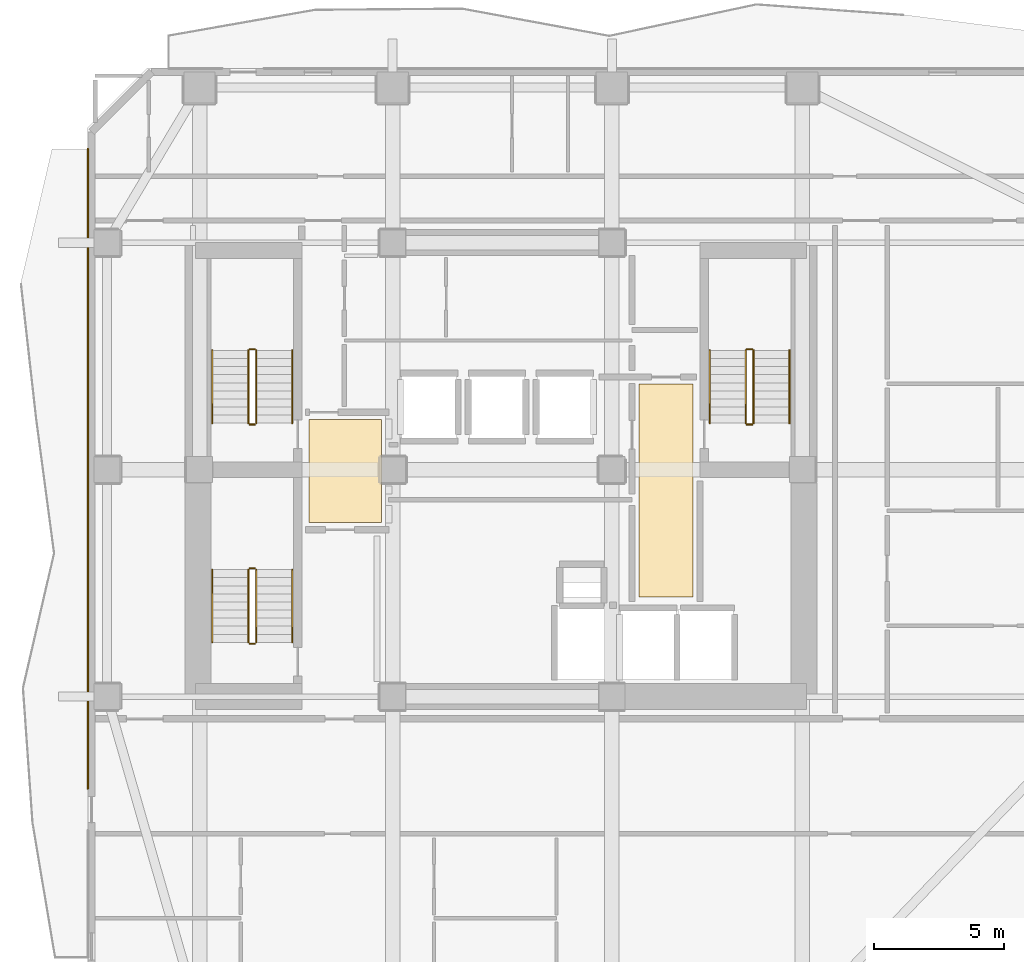
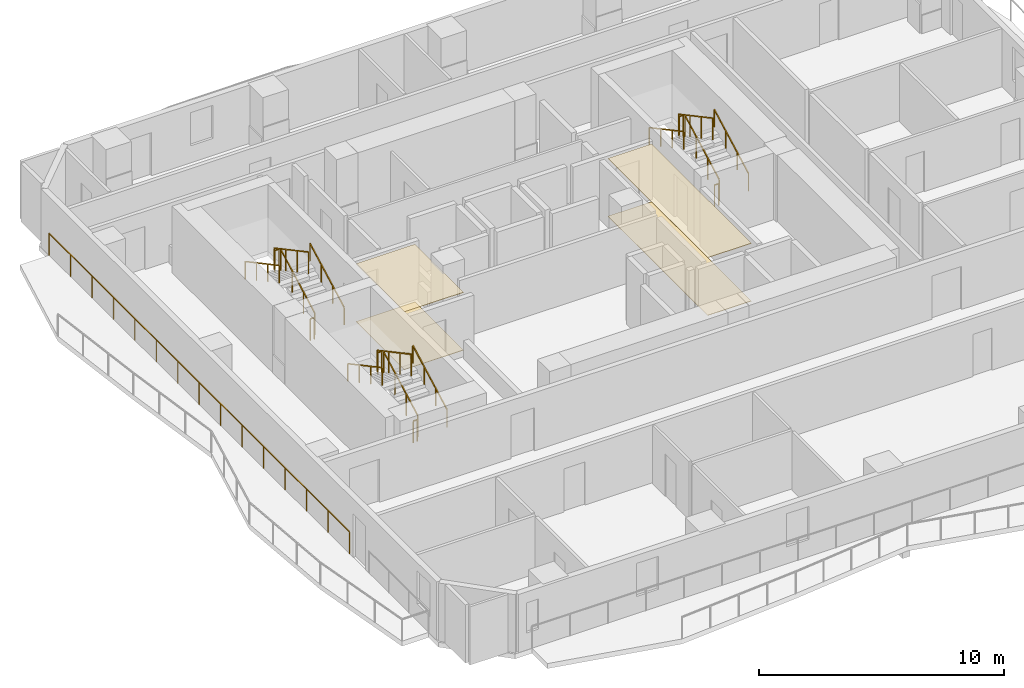
# One storey, part 8 of 9: 19 railings, 4 coverings.
"""IFC4 building model written with IfcOpenShell, lengths in metres."""

from ifc_helpers import new_model, si_unit, direction, frame, origin, origin_2d, place, context, subcontext, project, spatial, polyline, rectangle, outline, extrude, material, layer, layer_set, type_object, element, save


model = new_model("IFC4")

# Units and contexts
model_context = context("Model", 3, precision=1e-05, world=origin(), true_north=direction((0.0, 1.0)))
body_context = subcontext(model_context, "Body", "Model", "MODEL_VIEW")
ifc_project = project(units=[si_unit("LENGTHUNIT", "METRE"), si_unit("AREAUNIT", "SQUARE_METRE"), si_unit("VOLUMEUNIT", "CUBIC_METRE"), si_unit("PLANEANGLEUNIT", "RADIAN"), si_unit("MASSUNIT", "GRAM", prefix="KILO")], contexts=[model_context])

# Site, building, storey
site_placement = place(None, origin())
site = spatial("IfcSite", under=ifc_project, at=site_placement, CompositionType="ELEMENT")
building_placement = place(site_placement, origin())
building = spatial("IfcBuilding", under=site, at=building_placement, Name="Solanera Arch Residences", CompositionType="ELEMENT")
storey_placement = place(building_placement, frame((0.0, 0.0, 142.60009765625)))
storey = spatial("IfcBuildingStorey", under=building, at=storey_placement, Name="L41", CompositionType="ELEMENT", Elevation=142.60009765625)

# Railing
ifc_material_1 = material(Name="Steel S355 (ASTM A992 / A572 Grade 50)", Category="steel")
railing_type_1 = type_object("IfcRailingType", Name="Balustrade Railing BL-1100", PredefinedType="BALUSTRADE", material=ifc_material_1)
railing_1_placement = place(storey_placement, frame((9.1201171875, 18.472900390625, 0.0)))
element("IfcRailing", 1, at=railing_1_placement, inside=storey, type_object=railing_type_1, Name="L41 W Balcony Balustrade 2", PredefinedType="BALUSTRADE", context=body_context, shape_type="SweptSolid", body=[
    extrude(rectangle(XDim=0.048095703125, YDim=0.048095703125, at=origin_2d()), frame((0.0, 0.0, 1.09619140625), z_axis=(0.0, 1.0, 0.0), x_axis=(-1.0, 0.0, 0.0)), (0.0, 0.0, 1.0), 24.527099609375),
    extrude(rectangle(XDim=0.0419921875, YDim=0.0419921875, at=origin_2d()), origin(), (0.0, 0.0, 1.0), 1.072021484375),
    extrude(rectangle(XDim=0.0419921875, YDim=0.0419921875, at=origin_2d()), frame((0.0, 1.751953125, 0.0)), (0.0, 0.0, 1.0), 1.072021484375),
    extrude(rectangle(XDim=0.0419921875, YDim=0.0419921875, at=origin_2d()), frame((0.0, 3.50390625, 0.0)), (0.0, 0.0, 1.0), 1.072021484375),
    extrude(rectangle(XDim=0.0419921875, YDim=0.0419921875, at=origin_2d()), frame((0.0, 5.255859375, 0.0)), (0.0, 0.0, 1.0), 1.072021484375),
    extrude(rectangle(XDim=0.0419921875, YDim=0.0419921875, at=origin_2d()), frame((0.0, 7.0078125, 0.0)), (0.0, 0.0, 1.0), 1.072021484375),
    extrude(rectangle(XDim=0.0419921875, YDim=0.0419921875, at=origin_2d()), frame((0.0, 8.759765625, 0.0)), (0.0, 0.0, 1.0), 1.072021484375),
    extrude(rectangle(XDim=0.0419921875, YDim=0.0419921875, at=origin_2d()), frame((0.0, 10.51171875, 0.0)), (0.0, 0.0, 1.0), 1.072021484375),
    extrude(rectangle(XDim=0.0419921875, YDim=0.0419921875, at=origin_2d()), frame((0.0, 12.263671875, 0.0)), (0.0, 0.0, 1.0), 1.072021484375),
    extrude(rectangle(XDim=0.0419921875, YDim=0.0419921875, at=origin_2d()), frame((0.0, 14.015380859375, 0.0)), (0.0, 0.0, 1.0), 1.072021484375),
    extrude(rectangle(XDim=0.0419921875, YDim=0.0419921875, at=origin_2d()), frame((0.0, 15.767333984375, 0.0)), (0.0, 0.0, 1.0), 1.072021484375),
    extrude(rectangle(XDim=0.0419921875, YDim=0.0419921875, at=origin_2d()), frame((0.0, 17.519287109375, 0.0)), (0.0, 0.0, 1.0), 1.072021484375),
    extrude(rectangle(XDim=0.0419921875, YDim=0.0419921875, at=origin_2d()), frame((0.0, 19.271240234375, 0.0)), (0.0, 0.0, 1.0), 1.072021484375),
    extrude(rectangle(XDim=0.0419921875, YDim=0.0419921875, at=origin_2d()), frame((0.0, 21.023193359375, 0.0)), (0.0, 0.0, 1.0), 1.072021484375),
    extrude(rectangle(XDim=0.0419921875, YDim=0.0419921875, at=origin_2d()), frame((0.0, 22.775146484375, 0.0)), (0.0, 0.0, 1.0), 1.072021484375),
    extrude(rectangle(XDim=0.0419921875, YDim=0.0419921875, at=origin_2d()), frame((0.0, 24.527099609375, 0.0)), (0.0, 0.0, 1.0), 1.072021484375),
])

# Coverings
ifc_material_2 = material(Name="Porcelain Acoustic Floor Tile", Category="ceramic")
ifc_layer_1 = layer(ifc_material_2, 0.02001953125)
ifc_layer_set_1 = layer_set([ifc_layer_1], Name="Porcelain Acoustic Floor Tile")
covering_type_1 = type_object("IfcCoveringType", Name="Porcelain Acoustic Floor Finish FLR-20", PredefinedType="FLOORING", material=ifc_layer_set_1)
covering_1_placement = place(storey_placement, origin())
element("IfcCovering", 2, at=covering_1_placement, inside=storey, type_object=covering_type_1, Name="L41-FFL-W Porcelain Floor Finish", PredefinedType="FLOORING", context=body_context, shape_type="SweptSolid", body=[
    extrude(outline(polyline([(20.375, 28.675048828125), (17.594970703125, 28.675048828125), (17.594970703125, 32.625), (20.375, 32.625), (20.375, 28.675048828125)])), origin(), (0.0, 0.0, 1.0), 0.02001953125),
])
covering_2_placement = place(storey_placement, origin())
element("IfcCovering", 3, at=covering_2_placement, inside=storey, type_object=covering_type_1, Name="L41-FFL-E Porcelain Floor Finish", PredefinedType="FLOORING", context=body_context, shape_type="SweptSolid", body=[
    extrude(outline(polyline([(32.304931640625, 25.824951171875), (30.25, 25.824951171875), (30.25, 33.97509765625), (32.304931640625, 33.97509765625), (32.304931640625, 25.824951171875)])), origin(), (0.0, 0.0, 1.0), 0.02001953125),
])

# Railings
ifc_material_3 = material(Name="Steel S355 (ASTM A992 / A572 Grade 50)", Category="steel")
railing_type_2 = type_object("IfcRailingType", Name="Stair Guardrail GR-1100", PredefinedType="GUARDRAIL", material=ifc_material_3)
railing_2_placement = place(storey_placement, frame((15.570068359375, 32.47998046875, 0.15087890625)))
element("IfcRailing", 4, at=railing_2_placement, inside=storey, type_object=railing_type_2, Name="L41 ST-T1 stair guard 1", PredefinedType="GUARDRAIL", context=body_context, shape_type="SweptSolid", body=[
    extrude(rectangle(XDim=0.048095703125, YDim=0.048095703125, at=origin_2d()), frame((0.0, 0.0, 1.076171875), z_axis=(0.0, 0.881548766853, 0.472092969298), x_axis=(-1.0, 0.0, 0.0)), (0.0, 0.0, 1.0), 3.1650390625),
    extrude(rectangle(XDim=0.0419921875, YDim=0.0419921875, at=origin_2d()), origin(), (0.0, 0.0, 1.0), 1.052001953125),
    extrude(rectangle(XDim=0.0419921875, YDim=0.0419921875, at=origin_2d()), frame((0.0, 0.929931640625, 0.498046875)), (0.0, 0.0, 1.0), 1.052001953125),
    extrude(rectangle(XDim=0.0419921875, YDim=0.0419921875, at=origin_2d()), frame((0.0, 1.860107421875, 0.99609375)), (0.0, 0.0, 1.0), 1.052001953125),
    extrude(rectangle(XDim=0.0419921875, YDim=0.0419921875, at=origin_2d()), frame((0.0, 2.7900390625, 1.494140625)), (0.0, 0.0, 1.0), 1.052001953125),
])
railing_3_placement = place(storey_placement, frame((15.52001953125, 35.320068359375, 1.64501953125)))
element("IfcRailing", 5, at=railing_3_placement, inside=storey, type_object=railing_type_2, Name="L41 ST-T1 stair guard 2", PredefinedType="GUARDRAIL", context=body_context, shape_type="SweptSolid", body=[
    extrude(rectangle(XDim=0.048095703125, YDim=0.048095703125, at=origin_2d()), frame((0.0, 0.0, 1.076171875), z_axis=(-1.0, 0.0, 0.0), x_axis=(0.0, -1.0, 0.0)), (0.0, 0.0, 1.0), 0.199951171875),
    extrude(rectangle(XDim=0.0419921875, YDim=0.0419921875, at=origin_2d()), origin(), (0.0, 0.0, 1.0), 1.052001953125),
    extrude(rectangle(XDim=0.0419921875, YDim=0.0419921875, at=origin_2d()), frame((-0.199951171875, 0.0, 0.0)), (0.0, 0.0, 1.0), 1.052001953125),
])
railing_4_placement = place(storey_placement, frame((15.27001953125, 35.27001953125, 1.810791015625)))
element("IfcRailing", 6, at=railing_4_placement, inside=storey, type_object=railing_type_2, Name="L41 ST-T1 stair guard 3", PredefinedType="GUARDRAIL", context=body_context, shape_type="SweptSolid", body=[
    extrude(rectangle(XDim=0.048095703125, YDim=0.048095703125, at=origin_2d()), frame((0.0, 0.0, 1.076171875), z_axis=(0.0, -0.881548766853, 0.472092969298), x_axis=(1.0, 0.0, 0.0)), (0.0, 0.0, 1.0), 3.1650390625),
    extrude(rectangle(XDim=0.0419921875, YDim=0.0419921875, at=origin_2d()), origin(), (0.0, 0.0, 1.0), 1.052001953125),
    extrude(rectangle(XDim=0.0419921875, YDim=0.0419921875, at=origin_2d()), frame((0.0, -0.929931640625, 0.498046875)), (0.0, 0.0, 1.0), 1.052001953125),
    extrude(rectangle(XDim=0.0419921875, YDim=0.0419921875, at=origin_2d()), frame((0.0, -1.860107421875, 0.99609375)), (0.0, 0.0, 1.0), 1.052001953125),
    extrude(rectangle(XDim=0.0419921875, YDim=0.0419921875, at=origin_2d()), frame((0.0, -2.7900390625, 1.494140625)), (0.0, 0.0, 1.0), 1.052001953125),
])
railing_5_placement = place(storey_placement, frame((15.52001953125, 32.429931640625, -0.01513671875)))
element("IfcRailing", 7, at=railing_5_placement, inside=storey, type_object=railing_type_2, Name="L41 ST-T1 stair guard 4", PredefinedType="GUARDRAIL", context=body_context, shape_type="SweptSolid", body=[
    extrude(rectangle(XDim=0.048095703125, YDim=0.048095703125, at=origin_2d()), frame((0.0, 0.0, 1.076171875), z_axis=(-1.0, 0.0, 0.0), x_axis=(0.0, -1.0, 0.0)), (0.0, 0.0, 1.0), 0.199951171875),
    extrude(rectangle(XDim=0.0419921875, YDim=0.0419921875, at=origin_2d()), origin(), (0.0, 0.0, 1.0), 1.052001953125),
    extrude(rectangle(XDim=0.0419921875, YDim=0.0419921875, at=origin_2d()), frame((-0.199951171875, 0.0, 0.0)), (0.0, 0.0, 1.0), 1.052001953125),
])
railing_6_placement = place(storey_placement, frame((34.6298828125, 32.47998046875, 0.15087890625)))
element("IfcRailing", 8, at=railing_6_placement, inside=storey, type_object=railing_type_2, Name="L41 ST-T2 stair guard 1", PredefinedType="GUARDRAIL", context=body_context, shape_type="SweptSolid", body=[
    extrude(rectangle(XDim=0.048095703125, YDim=0.048095703125, at=origin_2d()), frame((0.0, 0.0, 1.076171875), z_axis=(0.0, 0.881548766853, 0.472092969298), x_axis=(-1.0, 0.0, 0.0)), (0.0, 0.0, 1.0), 3.1650390625),
    extrude(rectangle(XDim=0.0419921875, YDim=0.0419921875, at=origin_2d()), origin(), (0.0, 0.0, 1.0), 1.052001953125),
    extrude(rectangle(XDim=0.0419921875, YDim=0.0419921875, at=origin_2d()), frame((0.0, 0.929931640625, 0.498046875)), (0.0, 0.0, 1.0), 1.052001953125),
    extrude(rectangle(XDim=0.0419921875, YDim=0.0419921875, at=origin_2d()), frame((0.0, 1.860107421875, 0.99609375)), (0.0, 0.0, 1.0), 1.052001953125),
    extrude(rectangle(XDim=0.0419921875, YDim=0.0419921875, at=origin_2d()), frame((0.0, 2.7900390625, 1.494140625)), (0.0, 0.0, 1.0), 1.052001953125),
])
railing_7_placement = place(storey_placement, frame((34.580078125, 35.320068359375, 1.64501953125)))
element("IfcRailing", 9, at=railing_7_placement, inside=storey, type_object=railing_type_2, Name="L41 ST-T2 stair guard 2", PredefinedType="GUARDRAIL", context=body_context, shape_type="SweptSolid", body=[
    extrude(rectangle(XDim=0.048095703125, YDim=0.048095703125, at=origin_2d()), frame((0.0, 0.0, 1.076171875), z_axis=(-1.0, 0.0, 0.0), x_axis=(0.0, -1.0, 0.0)), (0.0, 0.0, 1.0), 0.2001953125),
    extrude(rectangle(XDim=0.0419921875, YDim=0.0419921875, at=origin_2d()), origin(), (0.0, 0.0, 1.0), 1.052001953125),
    extrude(rectangle(XDim=0.0419921875, YDim=0.0419921875, at=origin_2d()), frame((-0.2001953125, 0.0, 0.0)), (0.0, 0.0, 1.0), 1.052001953125),
])
railing_8_placement = place(storey_placement, frame((34.330078125, 35.27001953125, 1.810791015625)))
element("IfcRailing", 10, at=railing_8_placement, inside=storey, type_object=railing_type_2, Name="L41 ST-T2 stair guard 3", PredefinedType="GUARDRAIL", context=body_context, shape_type="SweptSolid", body=[
    extrude(rectangle(XDim=0.048095703125, YDim=0.048095703125, at=origin_2d()), frame((0.0, 0.0, 1.076171875), z_axis=(0.0, -0.881548766853, 0.472092969298), x_axis=(1.0, 0.0, 0.0)), (0.0, 0.0, 1.0), 3.1650390625),
    extrude(rectangle(XDim=0.0419921875, YDim=0.0419921875, at=origin_2d()), origin(), (0.0, 0.0, 1.0), 1.052001953125),
    extrude(rectangle(XDim=0.0419921875, YDim=0.0419921875, at=origin_2d()), frame((0.0, -0.929931640625, 0.498046875)), (0.0, 0.0, 1.0), 1.052001953125),
    extrude(rectangle(XDim=0.0419921875, YDim=0.0419921875, at=origin_2d()), frame((0.0, -1.860107421875, 0.99609375)), (0.0, 0.0, 1.0), 1.052001953125),
    extrude(rectangle(XDim=0.0419921875, YDim=0.0419921875, at=origin_2d()), frame((0.0, -2.7900390625, 1.494140625)), (0.0, 0.0, 1.0), 1.052001953125),
])
railing_9_placement = place(storey_placement, frame((34.580078125, 32.429931640625, -0.01513671875)))
element("IfcRailing", 11, at=railing_9_placement, inside=storey, type_object=railing_type_2, Name="L41 ST-T2 stair guard 4", PredefinedType="GUARDRAIL", context=body_context, shape_type="SweptSolid", body=[
    extrude(rectangle(XDim=0.048095703125, YDim=0.048095703125, at=origin_2d()), frame((0.0, 0.0, 1.076171875), z_axis=(-1.0, 0.0, 0.0), x_axis=(0.0, -1.0, 0.0)), (0.0, 0.0, 1.0), 0.2001953125),
    extrude(rectangle(XDim=0.0419921875, YDim=0.0419921875, at=origin_2d()), origin(), (0.0, 0.0, 1.0), 1.052001953125),
    extrude(rectangle(XDim=0.0419921875, YDim=0.0419921875, at=origin_2d()), frame((-0.2001953125, 0.0, 0.0)), (0.0, 0.0, 1.0), 1.052001953125),
])
railing_10_placement = place(storey_placement, frame((15.570068359375, 24.080078125, 0.15087890625)))
element("IfcRailing", 12, at=railing_10_placement, inside=storey, type_object=railing_type_2, Name="L41 ST-T3 stair guard 1", PredefinedType="GUARDRAIL", context=body_context, shape_type="SweptSolid", body=[
    extrude(rectangle(XDim=0.048095703125, YDim=0.048095703125, at=origin_2d()), frame((0.0, 0.0, 1.076171875), z_axis=(0.0, 0.881548766853, 0.472092969298), x_axis=(-1.0, 0.0, 0.0)), (0.0, 0.0, 1.0), 3.1650390625),
    extrude(rectangle(XDim=0.0419921875, YDim=0.0419921875, at=origin_2d()), origin(), (0.0, 0.0, 1.0), 1.052001953125),
    extrude(rectangle(XDim=0.0419921875, YDim=0.0419921875, at=origin_2d()), frame((0.0, 0.929931640625, 0.498046875)), (0.0, 0.0, 1.0), 1.052001953125),
    extrude(rectangle(XDim=0.0419921875, YDim=0.0419921875, at=origin_2d()), frame((0.0, 1.860107421875, 0.99609375)), (0.0, 0.0, 1.0), 1.052001953125),
    extrude(rectangle(XDim=0.0419921875, YDim=0.0419921875, at=origin_2d()), frame((0.0, 2.7900390625, 1.494140625)), (0.0, 0.0, 1.0), 1.052001953125),
])
railing_11_placement = place(storey_placement, frame((15.52001953125, 26.919921875, 1.64501953125)))
element("IfcRailing", 13, at=railing_11_placement, inside=storey, type_object=railing_type_2, Name="L41 ST-T3 stair guard 2", PredefinedType="GUARDRAIL", context=body_context, shape_type="SweptSolid", body=[
    extrude(rectangle(XDim=0.048095703125, YDim=0.048095703125, at=origin_2d()), frame((0.0, 0.0, 1.076171875), z_axis=(-1.0, 0.0, 0.0), x_axis=(0.0, -1.0, 0.0)), (0.0, 0.0, 1.0), 0.199951171875),
    extrude(rectangle(XDim=0.0419921875, YDim=0.0419921875, at=origin_2d()), origin(), (0.0, 0.0, 1.0), 1.052001953125),
    extrude(rectangle(XDim=0.0419921875, YDim=0.0419921875, at=origin_2d()), frame((-0.199951171875, 0.0, 0.0)), (0.0, 0.0, 1.0), 1.052001953125),
])
railing_12_placement = place(storey_placement, frame((15.27001953125, 26.8701171875, 1.810791015625)))
element("IfcRailing", 14, at=railing_12_placement, inside=storey, type_object=railing_type_2, Name="L41 ST-T3 stair guard 3", PredefinedType="GUARDRAIL", context=body_context, shape_type="SweptSolid", body=[
    extrude(rectangle(XDim=0.048095703125, YDim=0.048095703125, at=origin_2d()), frame((0.0, 0.0, 1.076171875), z_axis=(0.0, -0.881548766853, 0.472092969298), x_axis=(1.0, 0.0, 0.0)), (0.0, 0.0, 1.0), 3.1650390625),
    extrude(rectangle(XDim=0.0419921875, YDim=0.0419921875, at=origin_2d()), origin(), (0.0, 0.0, 1.0), 1.052001953125),
    extrude(rectangle(XDim=0.0419921875, YDim=0.0419921875, at=origin_2d()), frame((0.0, -0.929931640625, 0.498046875)), (0.0, 0.0, 1.0), 1.052001953125),
    extrude(rectangle(XDim=0.0419921875, YDim=0.0419921875, at=origin_2d()), frame((0.0, -1.860107421875, 0.99609375)), (0.0, 0.0, 1.0), 1.052001953125),
    extrude(rectangle(XDim=0.0419921875, YDim=0.0419921875, at=origin_2d()), frame((0.0, -2.7900390625, 1.494140625)), (0.0, 0.0, 1.0), 1.052001953125),
])
railing_13_placement = place(storey_placement, frame((15.52001953125, 24.030029296875, -0.01513671875)))
element("IfcRailing", 15, at=railing_13_placement, inside=storey, type_object=railing_type_2, Name="L41 ST-T3 stair guard 4", PredefinedType="GUARDRAIL", context=body_context, shape_type="SweptSolid", body=[
    extrude(rectangle(XDim=0.048095703125, YDim=0.048095703125, at=origin_2d()), frame((0.0, 0.0, 1.076171875), z_axis=(-1.0, 0.0, 0.0), x_axis=(0.0, -1.0, 0.0)), (0.0, 0.0, 1.0), 0.199951171875),
    extrude(rectangle(XDim=0.0419921875, YDim=0.0419921875, at=origin_2d()), origin(), (0.0, 0.0, 1.0), 1.052001953125),
    extrude(rectangle(XDim=0.0419921875, YDim=0.0419921875, at=origin_2d()), frame((-0.199951171875, 0.0, 0.0)), (0.0, 0.0, 1.0), 1.052001953125),
])
ifc_material_4 = material(Name="Steel S355 (ASTM A992 / A572 Grade 50)", Category="steel")
railing_type_3 = type_object("IfcRailingType", Name="Stair Wall Handrail HR-920", PredefinedType="HANDRAIL", material=ifc_material_4)
railing_14_placement = place(storey_placement, frame((16.949951171875, 32.47998046875, 0.166015625)))
element("IfcRailing", 16, at=railing_14_placement, inside=storey, type_object=railing_type_3, Name="L41 ST-T1 stair handrail 1", PredefinedType="HANDRAIL", context=body_context, shape_type="SweptSolid", body=[
    extrude(rectangle(XDim=0.048095703125, YDim=0.048095703125, at=origin_2d()), frame((0.0, 0.0, 0.8759765625), z_axis=(0.0, 0.881580869306, 0.472033018838), x_axis=(-1.0, 0.0, 0.0)), (0.0, 0.0, 1.0), 3.164794921875),
    extrude(rectangle(XDim=0.0419921875, YDim=0.0419921875, at=origin_2d()), origin(), (0.0, 0.0, 1.0), 0.851806640625),
    extrude(rectangle(XDim=0.0419921875, YDim=0.0419921875, at=origin_2d()), frame((0.0, 0.929931640625, 0.498046875)), (0.0, 0.0, 1.0), 0.851806640625),
    extrude(rectangle(XDim=0.0419921875, YDim=0.0419921875, at=origin_2d()), frame((0.0, 1.860107421875, 0.995849609375)), (0.0, 0.0, 1.0), 0.851806640625),
    extrude(rectangle(XDim=0.0419921875, YDim=0.0419921875, at=origin_2d()), frame((0.0, 2.7900390625, 1.493896484375)), (0.0, 0.0, 1.0), 0.851806640625),
])
railing_15_placement = place(storey_placement, frame((13.889892578125, 35.27001953125, 1.825927734375)))
element("IfcRailing", 17, at=railing_15_placement, inside=storey, type_object=railing_type_3, Name="L41 ST-T1 stair handrail 2", PredefinedType="HANDRAIL", context=body_context, shape_type="SweptSolid", body=[
    extrude(rectangle(XDim=0.048095703125, YDim=0.048095703125, at=origin_2d()), frame((0.0, 0.0, 0.8759765625), z_axis=(0.0, -0.881580869306, 0.472033018838), x_axis=(1.0, 0.0, 0.0)), (0.0, 0.0, 1.0), 3.164794921875),
    extrude(rectangle(XDim=0.0419921875, YDim=0.0419921875, at=origin_2d()), origin(), (0.0, 0.0, 1.0), 0.851806640625),
    extrude(rectangle(XDim=0.0419921875, YDim=0.0419921875, at=origin_2d()), frame((0.0, -0.929931640625, 0.498046875)), (0.0, 0.0, 1.0), 0.851806640625),
    extrude(rectangle(XDim=0.0419921875, YDim=0.0419921875, at=origin_2d()), frame((0.0, -1.860107421875, 0.995849609375)), (0.0, 0.0, 1.0), 0.851806640625),
    extrude(rectangle(XDim=0.0419921875, YDim=0.0419921875, at=origin_2d()), frame((0.0, -2.7900390625, 1.493896484375)), (0.0, 0.0, 1.0), 0.851806640625),
])
railing_16_placement = place(storey_placement, frame((36.010009765625, 32.47998046875, 0.166015625)))
element("IfcRailing", 18, at=railing_16_placement, inside=storey, type_object=railing_type_3, Name="L41 ST-T2 stair handrail 1", PredefinedType="HANDRAIL", context=body_context, shape_type="SweptSolid", body=[
    extrude(rectangle(XDim=0.048095703125, YDim=0.048095703125, at=origin_2d()), frame((0.0, 0.0, 0.8759765625), z_axis=(0.0, 0.881580869306, 0.472033018838), x_axis=(-1.0, 0.0, 0.0)), (0.0, 0.0, 1.0), 3.164794921875),
    extrude(rectangle(XDim=0.0419921875, YDim=0.0419921875, at=origin_2d()), origin(), (0.0, 0.0, 1.0), 0.851806640625),
    extrude(rectangle(XDim=0.0419921875, YDim=0.0419921875, at=origin_2d()), frame((0.0, 0.929931640625, 0.498046875)), (0.0, 0.0, 1.0), 0.851806640625),
    extrude(rectangle(XDim=0.0419921875, YDim=0.0419921875, at=origin_2d()), frame((0.0, 1.860107421875, 0.995849609375)), (0.0, 0.0, 1.0), 0.851806640625),
    extrude(rectangle(XDim=0.0419921875, YDim=0.0419921875, at=origin_2d()), frame((0.0, 2.7900390625, 1.493896484375)), (0.0, 0.0, 1.0), 0.851806640625),
])
railing_17_placement = place(storey_placement, frame((32.949951171875, 35.27001953125, 1.825927734375)))
element("IfcRailing", 19, at=railing_17_placement, inside=storey, type_object=railing_type_3, Name="L41 ST-T2 stair handrail 2", PredefinedType="HANDRAIL", context=body_context, shape_type="SweptSolid", body=[
    extrude(rectangle(XDim=0.048095703125, YDim=0.048095703125, at=origin_2d()), frame((0.0, 0.0, 0.8759765625), z_axis=(0.0, -0.881580869306, 0.472033018838), x_axis=(1.0, 0.0, 0.0)), (0.0, 0.0, 1.0), 3.164794921875),
    extrude(rectangle(XDim=0.0419921875, YDim=0.0419921875, at=origin_2d()), origin(), (0.0, 0.0, 1.0), 0.851806640625),
    extrude(rectangle(XDim=0.0419921875, YDim=0.0419921875, at=origin_2d()), frame((0.0, -0.929931640625, 0.498046875)), (0.0, 0.0, 1.0), 0.851806640625),
    extrude(rectangle(XDim=0.0419921875, YDim=0.0419921875, at=origin_2d()), frame((0.0, -1.860107421875, 0.995849609375)), (0.0, 0.0, 1.0), 0.851806640625),
    extrude(rectangle(XDim=0.0419921875, YDim=0.0419921875, at=origin_2d()), frame((0.0, -2.7900390625, 1.493896484375)), (0.0, 0.0, 1.0), 0.851806640625),
])
railing_18_placement = place(storey_placement, frame((16.949951171875, 24.080078125, 0.166015625)))
element("IfcRailing", 20, at=railing_18_placement, inside=storey, type_object=railing_type_3, Name="L41 ST-T3 stair handrail 1", PredefinedType="HANDRAIL", context=body_context, shape_type="SweptSolid", body=[
    extrude(rectangle(XDim=0.048095703125, YDim=0.048095703125, at=origin_2d()), frame((0.0, 0.0, 0.8759765625), z_axis=(0.0, 0.881580869306, 0.472033018838), x_axis=(-1.0, 0.0, 0.0)), (0.0, 0.0, 1.0), 3.164794921875),
    extrude(rectangle(XDim=0.0419921875, YDim=0.0419921875, at=origin_2d()), origin(), (0.0, 0.0, 1.0), 0.851806640625),
    extrude(rectangle(XDim=0.0419921875, YDim=0.0419921875, at=origin_2d()), frame((0.0, 0.929931640625, 0.498046875)), (0.0, 0.0, 1.0), 0.851806640625),
    extrude(rectangle(XDim=0.0419921875, YDim=0.0419921875, at=origin_2d()), frame((0.0, 1.860107421875, 0.995849609375)), (0.0, 0.0, 1.0), 0.851806640625),
    extrude(rectangle(XDim=0.0419921875, YDim=0.0419921875, at=origin_2d()), frame((0.0, 2.7900390625, 1.493896484375)), (0.0, 0.0, 1.0), 0.851806640625),
])
railing_19_placement = place(storey_placement, frame((13.889892578125, 26.8701171875, 1.825927734375)))
element("IfcRailing", 21, at=railing_19_placement, inside=storey, type_object=railing_type_3, Name="L41 ST-T3 stair handrail 2", PredefinedType="HANDRAIL", context=body_context, shape_type="SweptSolid", body=[
    extrude(rectangle(XDim=0.048095703125, YDim=0.048095703125, at=origin_2d()), frame((0.0, 0.0, 0.8759765625), z_axis=(0.0, -0.881580869306, 0.472033018838), x_axis=(1.0, 0.0, 0.0)), (0.0, 0.0, 1.0), 3.164794921875),
    extrude(rectangle(XDim=0.0419921875, YDim=0.0419921875, at=origin_2d()), origin(), (0.0, 0.0, 1.0), 0.851806640625),
    extrude(rectangle(XDim=0.0419921875, YDim=0.0419921875, at=origin_2d()), frame((0.0, -0.929931640625, 0.498046875)), (0.0, 0.0, 1.0), 0.851806640625),
    extrude(rectangle(XDim=0.0419921875, YDim=0.0419921875, at=origin_2d()), frame((0.0, -1.860107421875, 0.995849609375)), (0.0, 0.0, 1.0), 0.851806640625),
    extrude(rectangle(XDim=0.0419921875, YDim=0.0419921875, at=origin_2d()), frame((0.0, -2.7900390625, 1.493896484375)), (0.0, 0.0, 1.0), 0.851806640625),
])

# Coverings
ifc_material_5 = material(Name="Mineral Fibre Acoustic Ceiling Board", Category="gypsum")
ifc_layer_2 = layer(ifc_material_5, 0.02490234375)
ifc_layer_set_2 = layer_set([ifc_layer_2], Name="Mineral Fibre Acoustic Ceiling Board")
covering_type_2 = type_object("IfcCoveringType", Name="Suspended Acoustic Ceiling Board CLG-25", PredefinedType="CEILING", material=ifc_layer_set_2)
covering_3_placement = place(storey_placement, frame((0.0, 0.0, 2.875)))
element("IfcCovering", 22, at=covering_3_placement, inside=storey, type_object=covering_type_2, Name="L41-FFL-W Acoustic Ceiling", PredefinedType="CEILING", context=body_context, shape_type="SweptSolid", body=[
    extrude(outline(polyline([(20.375, 28.675048828125), (17.594970703125, 28.675048828125), (17.594970703125, 32.625), (20.375, 32.625), (20.375, 28.675048828125)])), origin(), (0.0, 0.0, 1.0), 0.02490234375),
])
covering_4_placement = place(storey_placement, frame((0.0, 0.0, 2.875)))
element("IfcCovering", 23, at=covering_4_placement, inside=storey, type_object=covering_type_2, Name="L41-FFL-E Acoustic Ceiling", PredefinedType="CEILING", context=body_context, shape_type="SweptSolid", body=[
    extrude(outline(polyline([(32.304931640625, 25.824951171875), (30.25, 25.824951171875), (30.25, 33.97509765625), (32.304931640625, 33.97509765625), (32.304931640625, 25.824951171875)])), origin(), (0.0, 0.0, 1.0), 0.02490234375),
])

save(model, "model.ifc")
